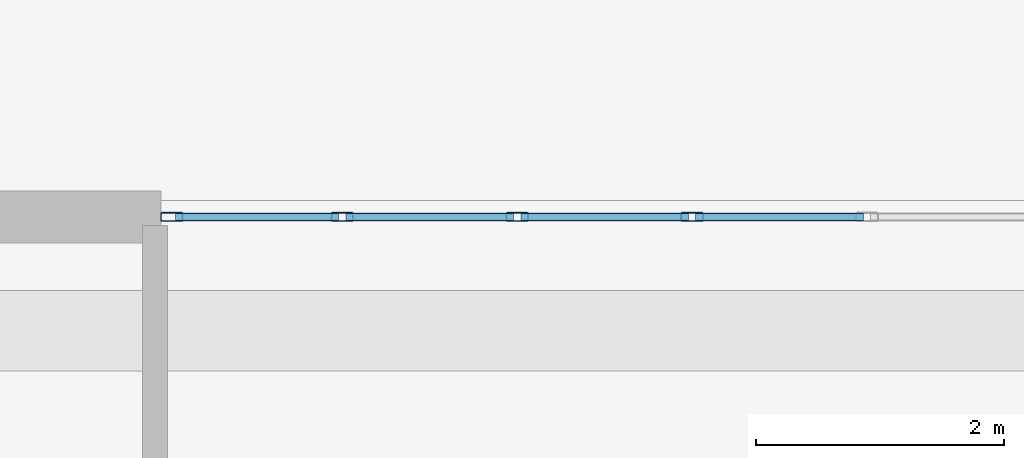
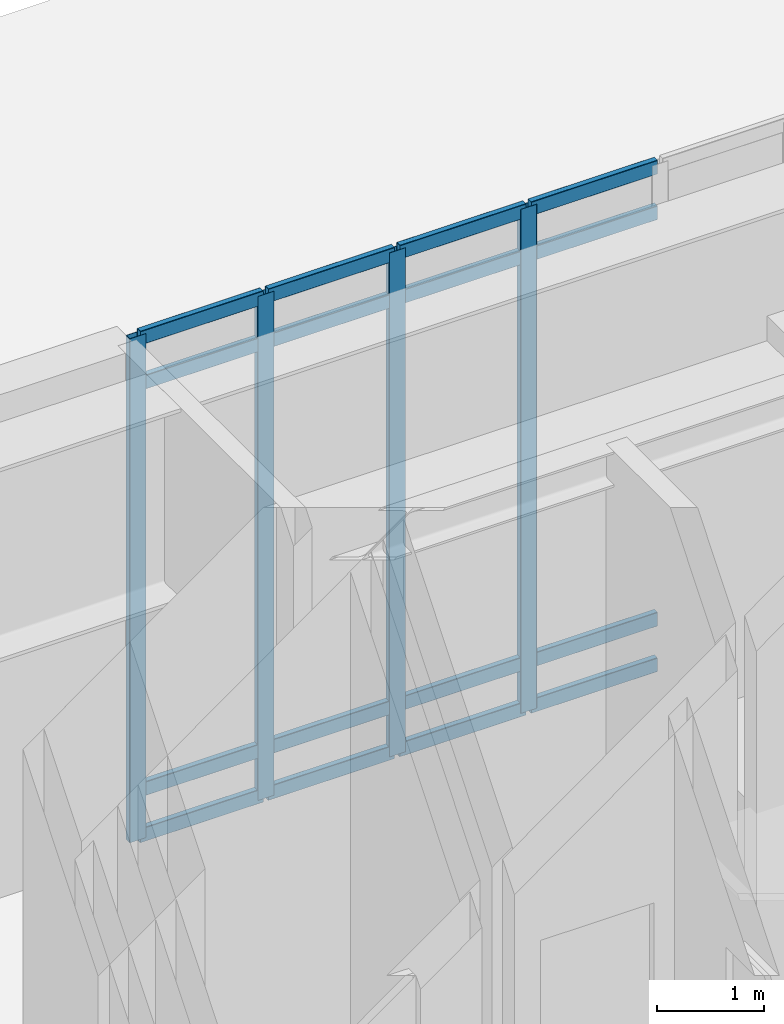
# One storey, part 10 of 27: 20 members, 1 element without a shape of its own.
"""IFC4 building model written with IfcOpenShell, lengths in metres."""

from ifc_helpers import new_model, si_unit, direction, frame, origin, origin_2d, place, context, subcontext, project, spatial, hollow_rectangle, extrude, material, layer, layer_set, material_profile, profile_set, type_object, element, aggregate, save


model = new_model("IFC4")

# Units and contexts
model_context = context("Model", 3, precision=1e-05, world=origin(), true_north=direction((0.0, 1.0)))
body_context = subcontext(model_context, "Body", "Model", "MODEL_VIEW")
ifc_project = project(units=[si_unit("LENGTHUNIT", "METRE"), si_unit("AREAUNIT", "SQUARE_METRE"), si_unit("VOLUMEUNIT", "CUBIC_METRE"), si_unit("PLANEANGLEUNIT", "RADIAN"), si_unit("MASSUNIT", "GRAM", prefix="KILO")], contexts=[model_context])

# Site, building, storey
site_placement = place(None, origin())
site = spatial("IfcSite", under=ifc_project, at=site_placement, CompositionType="ELEMENT")
building_placement = place(site_placement, origin())
building = spatial("IfcBuilding", under=site, at=building_placement, Name="Ndelora Gate Hotel", CompositionType="ELEMENT")
storey_placement = place(building_placement, origin())
storey = spatial("IfcBuildingStorey", under=building, at=storey_placement, Name="L00", CompositionType="ELEMENT", Elevation=0.0)

# Curtain wall, members
ifc_material_1 = material(Name="Bronze Anodised Unitised Aluminium and Low-E Glass", Category="aluminium")
ifc_layer = layer(ifc_material_1, 0.239990234375)
ifc_layer_set = layer_set([ifc_layer], Name="Bronze Anodised Unitised Aluminium and Low-E Glass")
curtain_wall_type = type_object("IfcCurtainWallType", Name="CW-SYS-1", PredefinedType="NOTDEFINED", material=ifc_layer_set)
curtain_wall_placement = place(storey_placement, origin())
curtain_wall = element("IfcCurtainWall", 1, at=curtain_wall_placement, inside=storey, type_object=curtain_wall_type, Name="L00 North Portal Arch Concourse Curtain Wall CW1", PredefinedType="NOTDEFINED")
ifc_material_2 = material(Name="Bronze Anodised Aluminium 6063-T6", Category="aluminium")
ifc_material_profile_1 = material_profile(ifc_material_2, hollow_rectangle(XDim=0.070068359375, YDim=0.179931640625, WallThickness=0.0048828125, InnerFilletRadius=0.0048828125, OuterFilletRadius=0.010009765625, at=origin_2d()), Name="ALU 180x70x5")
ifc_profile_set_1 = profile_set([ifc_material_profile_1], Name="Bronze Anodised Aluminium 6063-T6")
member_type_1 = type_object("IfcMemberType", Name="MB-CW-MUL180", PredefinedType="MULLION", material=ifc_profile_set_1)
member_1_placement = place(storey_placement, frame((-1.41259765625, 10.320068359375, -0.00390625), z_axis=(0.0, 0.0, 1.0), x_axis=(0.0, -1.0, 0.0)))
member_1 = element("IfcMember", 2, at=member_1_placement, type_object=member_type_1, Name="CW1 mullion 6", PredefinedType="MULLION", context=body_context, shape_type="SweptSolid", body=[
    extrude(hollow_rectangle(XDim=0.070068359375, YDim=0.179931640625, WallThickness=0.0048828125, InnerFilletRadius=0.0048828125, OuterFilletRadius=0.010009765625, at=origin_2d()), origin(), (0.0, 0.0, 1.0), 5.72802734375),
])
member_2_placement = place(storey_placement, frame((-2.824951171875, 10.320068359375, -0.00390625), z_axis=(0.0, 0.0, 1.0), x_axis=(0.0, -1.0, 0.0)))
member_2 = element("IfcMember", 3, at=member_2_placement, type_object=member_type_1, Name="CW1 mullion 7", PredefinedType="MULLION", context=body_context, shape_type="SweptSolid", body=[
    extrude(hollow_rectangle(XDim=0.070068359375, YDim=0.179931640625, WallThickness=0.0048828125, InnerFilletRadius=0.0048828125, OuterFilletRadius=0.010009765625, at=origin_2d()), origin(), (0.0, 0.0, 1.0), 5.72802734375),
])
member_3_placement = place(storey_placement, frame((-4.237548828125, 10.320068359375, -0.00390625), z_axis=(0.0, 0.0, 1.0), x_axis=(0.0, -1.0, 0.0)))
member_3 = element("IfcMember", 4, at=member_3_placement, type_object=member_type_1, Name="CW1 mullion 8", PredefinedType="MULLION", context=body_context, shape_type="SweptSolid", body=[
    extrude(hollow_rectangle(XDim=0.070068359375, YDim=0.179931640625, WallThickness=0.0048828125, InnerFilletRadius=0.0048828125, OuterFilletRadius=0.010009765625, at=origin_2d()), origin(), (0.0, 0.0, 1.0), 5.72802734375),
])
member_4_placement = place(storey_placement, frame((-5.614990234375, 10.320068359375, -0.00390625), z_axis=(0.0, 0.0, 1.0), x_axis=(0.0, -1.0, 0.0)))
member_4 = element("IfcMember", 5, at=member_4_placement, type_object=member_type_1, Name="CW1 mullion 9", PredefinedType="MULLION", context=body_context, shape_type="SweptSolid", body=[
    extrude(hollow_rectangle(XDim=0.070068359375, YDim=0.179931640625, WallThickness=0.0048828125, InnerFilletRadius=0.0048828125, OuterFilletRadius=0.010009765625, at=origin_2d()), origin(), (0.0, 0.0, 1.0), 5.72802734375),
])
ifc_material_profile_2 = material_profile(ifc_material_2, hollow_rectangle(XDim=0.06494140625, YDim=0.159912109375, WallThickness=0.00390625, InnerFilletRadius=0.00390625, OuterFilletRadius=0.008056640625, at=origin_2d()), Name="ALU 160x65x4")
ifc_profile_set_2 = profile_set([ifc_material_profile_2], Name="Bronze Anodised Aluminium 6063-T6")
member_type_2 = type_object("IfcMemberType", Name="MB-CW-TRN150", PredefinedType="USERDEFINED", material=ifc_profile_set_2)
member_5_placement = place(storey_placement, frame((-0.029052734375, 10.320068359375, 0.032470703125), z_axis=(-1.0, 0.0, 0.0), x_axis=(0.0, -1.0, 0.0)))
member_5 = element("IfcMember", 6, at=member_5_placement, type_object=member_type_2, Name="CW1 transom 5.1", ObjectType="TRANSOM", PredefinedType="USERDEFINED", context=body_context, shape_type="SweptSolid", body=[
    extrude(hollow_rectangle(XDim=0.06494140625, YDim=0.159912109375, WallThickness=0.00390625, InnerFilletRadius=0.00390625, OuterFilletRadius=0.008056640625, at=origin_2d()), origin(), (0.0, 0.0, 1.0), 1.3544921875),
])
member_6_placement = place(storey_placement, frame((-0.029052734375, 10.320068359375, 0.550048828125), z_axis=(-1.0, 0.0, 0.0), x_axis=(0.0, -1.0, 0.0)))
member_6 = element("IfcMember", 7, at=member_6_placement, type_object=member_type_2, Name="CW1 transom 5.2", ObjectType="TRANSOM", PredefinedType="USERDEFINED", context=body_context, shape_type="SweptSolid", body=[
    extrude(hollow_rectangle(XDim=0.06494140625, YDim=0.159912109375, WallThickness=0.00390625, InnerFilletRadius=0.00390625, OuterFilletRadius=0.008056640625, at=origin_2d()), origin(), (0.0, 0.0, 1.0), 1.3544921875),
])
member_7_placement = place(storey_placement, frame((-0.029052734375, 10.320068359375, 5.169921875), z_axis=(-1.0, 0.0, 0.0), x_axis=(0.0, -1.0, 0.0)))
member_7 = element("IfcMember", 8, at=member_7_placement, type_object=member_type_2, Name="CW1 transom 5.3", ObjectType="TRANSOM", PredefinedType="USERDEFINED", context=body_context, shape_type="SweptSolid", body=[
    extrude(hollow_rectangle(XDim=0.06494140625, YDim=0.159912109375, WallThickness=0.00390625, InnerFilletRadius=0.00390625, OuterFilletRadius=0.008056640625, at=origin_2d()), origin(), (0.0, 0.0, 1.0), 1.3544921875),
])
member_8_placement = place(storey_placement, frame((-0.029052734375, 10.320068359375, 5.6875), z_axis=(-1.0, 0.0, 0.0), x_axis=(0.0, -1.0, 0.0)))
member_8 = element("IfcMember", 9, at=member_8_placement, type_object=member_type_2, Name="CW1 transom 5.4", ObjectType="TRANSOM", PredefinedType="USERDEFINED", context=body_context, shape_type="SweptSolid", body=[
    extrude(hollow_rectangle(XDim=0.06494140625, YDim=0.159912109375, WallThickness=0.00390625, InnerFilletRadius=0.00390625, OuterFilletRadius=0.008056640625, at=origin_2d()), origin(), (0.0, 0.0, 1.0), 1.3544921875),
])
member_9_placement = place(storey_placement, frame((-1.44140625, 10.320068359375, 0.032470703125), z_axis=(-1.0, 0.0, 0.0), x_axis=(0.0, -1.0, 0.0)))
member_9 = element("IfcMember", 10, at=member_9_placement, type_object=member_type_2, Name="CW1 transom 6.1", ObjectType="TRANSOM", PredefinedType="USERDEFINED", context=body_context, shape_type="SweptSolid", body=[
    extrude(hollow_rectangle(XDim=0.06494140625, YDim=0.159912109375, WallThickness=0.00390625, InnerFilletRadius=0.00390625, OuterFilletRadius=0.008056640625, at=origin_2d()), origin(), (0.0, 0.0, 1.0), 1.3544921875),
])
member_10_placement = place(storey_placement, frame((-1.44140625, 10.320068359375, 0.550048828125), z_axis=(-1.0, 0.0, 0.0), x_axis=(0.0, -1.0, 0.0)))
member_10 = element("IfcMember", 11, at=member_10_placement, type_object=member_type_2, Name="CW1 transom 6.2", ObjectType="TRANSOM", PredefinedType="USERDEFINED", context=body_context, shape_type="SweptSolid", body=[
    extrude(hollow_rectangle(XDim=0.06494140625, YDim=0.159912109375, WallThickness=0.00390625, InnerFilletRadius=0.00390625, OuterFilletRadius=0.008056640625, at=origin_2d()), origin(), (0.0, 0.0, 1.0), 1.3544921875),
])
member_11_placement = place(storey_placement, frame((-1.44140625, 10.320068359375, 5.169921875), z_axis=(-1.0, 0.0, 0.0), x_axis=(0.0, -1.0, 0.0)))
member_11 = element("IfcMember", 12, at=member_11_placement, type_object=member_type_2, Name="CW1 transom 6.3", ObjectType="TRANSOM", PredefinedType="USERDEFINED", context=body_context, shape_type="SweptSolid", body=[
    extrude(hollow_rectangle(XDim=0.06494140625, YDim=0.159912109375, WallThickness=0.00390625, InnerFilletRadius=0.00390625, OuterFilletRadius=0.008056640625, at=origin_2d()), origin(), (0.0, 0.0, 1.0), 1.3544921875),
])
member_12_placement = place(storey_placement, frame((-1.44140625, 10.320068359375, 5.6875), z_axis=(-1.0, 0.0, 0.0), x_axis=(0.0, -1.0, 0.0)))
member_12 = element("IfcMember", 13, at=member_12_placement, type_object=member_type_2, Name="CW1 transom 6.4", ObjectType="TRANSOM", PredefinedType="USERDEFINED", context=body_context, shape_type="SweptSolid", body=[
    extrude(hollow_rectangle(XDim=0.06494140625, YDim=0.159912109375, WallThickness=0.00390625, InnerFilletRadius=0.00390625, OuterFilletRadius=0.008056640625, at=origin_2d()), origin(), (0.0, 0.0, 1.0), 1.3544921875),
])
member_13_placement = place(storey_placement, frame((-2.85400390625, 10.320068359375, 0.032470703125), z_axis=(-1.0, 0.0, 0.0), x_axis=(0.0, -1.0, 0.0)))
member_13 = element("IfcMember", 14, at=member_13_placement, type_object=member_type_2, Name="CW1 transom 7.1", ObjectType="TRANSOM", PredefinedType="USERDEFINED", context=body_context, shape_type="SweptSolid", body=[
    extrude(hollow_rectangle(XDim=0.06494140625, YDim=0.159912109375, WallThickness=0.00390625, InnerFilletRadius=0.00390625, OuterFilletRadius=0.008056640625, at=origin_2d()), origin(), (0.0, 0.0, 1.0), 1.3544921875),
])
member_14_placement = place(storey_placement, frame((-2.85400390625, 10.320068359375, 0.550048828125), z_axis=(-1.0, 0.0, 0.0), x_axis=(0.0, -1.0, 0.0)))
member_14 = element("IfcMember", 15, at=member_14_placement, type_object=member_type_2, Name="CW1 transom 7.2", ObjectType="TRANSOM", PredefinedType="USERDEFINED", context=body_context, shape_type="SweptSolid", body=[
    extrude(hollow_rectangle(XDim=0.06494140625, YDim=0.159912109375, WallThickness=0.00390625, InnerFilletRadius=0.00390625, OuterFilletRadius=0.008056640625, at=origin_2d()), origin(), (0.0, 0.0, 1.0), 1.3544921875),
])
member_15_placement = place(storey_placement, frame((-2.85400390625, 10.320068359375, 5.169921875), z_axis=(-1.0, 0.0, 0.0), x_axis=(0.0, -1.0, 0.0)))
member_15 = element("IfcMember", 16, at=member_15_placement, type_object=member_type_2, Name="CW1 transom 7.3", ObjectType="TRANSOM", PredefinedType="USERDEFINED", context=body_context, shape_type="SweptSolid", body=[
    extrude(hollow_rectangle(XDim=0.06494140625, YDim=0.159912109375, WallThickness=0.00390625, InnerFilletRadius=0.00390625, OuterFilletRadius=0.008056640625, at=origin_2d()), origin(), (0.0, 0.0, 1.0), 1.3544921875),
])
member_16_placement = place(storey_placement, frame((-2.85400390625, 10.320068359375, 5.6875), z_axis=(-1.0, 0.0, 0.0), x_axis=(0.0, -1.0, 0.0)))
member_16 = element("IfcMember", 17, at=member_16_placement, type_object=member_type_2, Name="CW1 transom 7.4", ObjectType="TRANSOM", PredefinedType="USERDEFINED", context=body_context, shape_type="SweptSolid", body=[
    extrude(hollow_rectangle(XDim=0.06494140625, YDim=0.159912109375, WallThickness=0.00390625, InnerFilletRadius=0.00390625, OuterFilletRadius=0.008056640625, at=origin_2d()), origin(), (0.0, 0.0, 1.0), 1.3544921875),
])
member_17_placement = place(storey_placement, frame((-4.2666015625, 10.320068359375, 0.032470703125), z_axis=(-1.0, 0.0, 0.0), x_axis=(0.0, -1.0, 0.0)))
member_17 = element("IfcMember", 18, at=member_17_placement, type_object=member_type_2, Name="CW1 transom 8.1", ObjectType="TRANSOM", PredefinedType="USERDEFINED", context=body_context, shape_type="SweptSolid", body=[
    extrude(hollow_rectangle(XDim=0.06494140625, YDim=0.159912109375, WallThickness=0.00390625, InnerFilletRadius=0.00390625, OuterFilletRadius=0.008056640625, at=origin_2d()), origin(), (0.0, 0.0, 1.0), 1.3193359375),
])
member_18_placement = place(storey_placement, frame((-4.2666015625, 10.320068359375, 0.550048828125), z_axis=(-1.0, 0.0, 0.0), x_axis=(0.0, -1.0, 0.0)))
member_18 = element("IfcMember", 19, at=member_18_placement, type_object=member_type_2, Name="CW1 transom 8.2", ObjectType="TRANSOM", PredefinedType="USERDEFINED", context=body_context, shape_type="SweptSolid", body=[
    extrude(hollow_rectangle(XDim=0.06494140625, YDim=0.159912109375, WallThickness=0.00390625, InnerFilletRadius=0.00390625, OuterFilletRadius=0.008056640625, at=origin_2d()), origin(), (0.0, 0.0, 1.0), 1.3193359375),
])
member_19_placement = place(storey_placement, frame((-4.2666015625, 10.320068359375, 5.169921875), z_axis=(-1.0, 0.0, 0.0), x_axis=(0.0, -1.0, 0.0)))
member_19 = element("IfcMember", 20, at=member_19_placement, type_object=member_type_2, Name="CW1 transom 8.3", ObjectType="TRANSOM", PredefinedType="USERDEFINED", context=body_context, shape_type="SweptSolid", body=[
    extrude(hollow_rectangle(XDim=0.06494140625, YDim=0.159912109375, WallThickness=0.00390625, InnerFilletRadius=0.00390625, OuterFilletRadius=0.008056640625, at=origin_2d()), origin(), (0.0, 0.0, 1.0), 1.3193359375),
])
member_20_placement = place(storey_placement, frame((-4.2666015625, 10.320068359375, 5.6875), z_axis=(-1.0, 0.0, 0.0), x_axis=(0.0, -1.0, 0.0)))
member_20 = element("IfcMember", 21, at=member_20_placement, type_object=member_type_2, Name="CW1 transom 8.4", ObjectType="TRANSOM", PredefinedType="USERDEFINED", context=body_context, shape_type="SweptSolid", body=[
    extrude(hollow_rectangle(XDim=0.06494140625, YDim=0.159912109375, WallThickness=0.00390625, InnerFilletRadius=0.00390625, OuterFilletRadius=0.008056640625, at=origin_2d()), origin(), (0.0, 0.0, 1.0), 1.3193359375),
])
aggregate(curtain_wall, [member_1, member_2, member_3, member_4, member_5, member_6, member_7, member_8, member_9, member_10, member_11, member_12, member_13, member_14, member_15, member_16, member_17, member_18, member_19, member_20])

save(model, "model.ifc")
